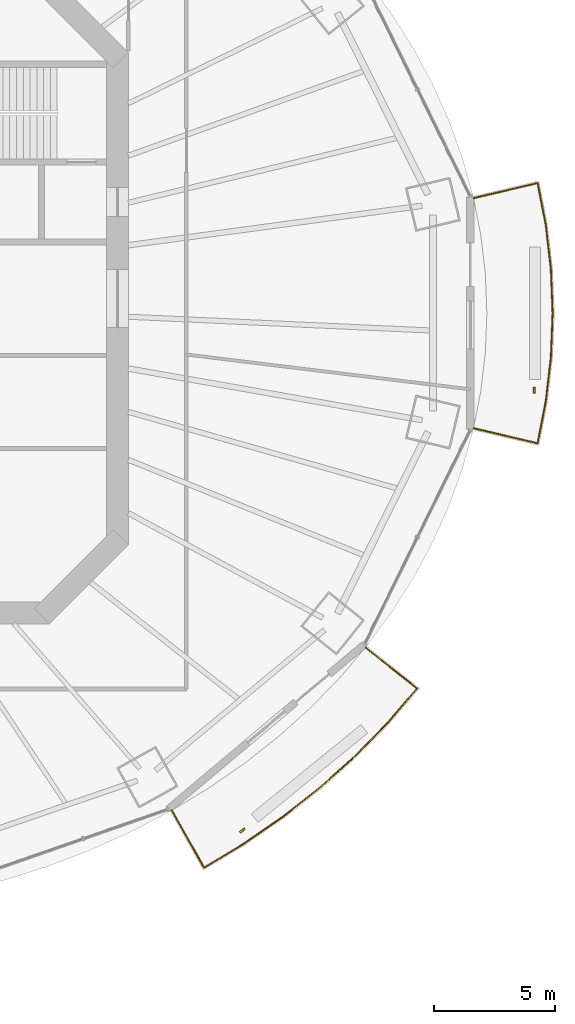
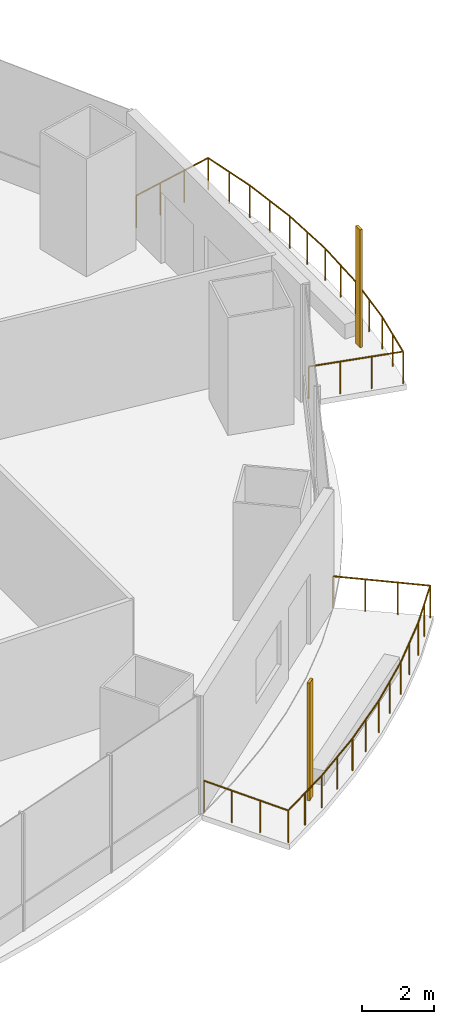
# One storey, part 15 of 18: 2 railings, 2 shading devices.
"""IFC4 building model written with IfcOpenShell, lengths in metres."""

from ifc_helpers import new_model, si_unit, direction, frame, origin, origin_2d, place, context, subcontext, project, spatial, rectangle, circle, extrude, material, material_profile, profile_set, type_object, element, save


model = new_model("IFC4")

# Units and contexts
model_context = context("Model", 3, precision=1e-05, world=origin(), true_north=direction((0.0, 1.0)))
body_context = subcontext(model_context, "Body", "Model", "MODEL_VIEW")
ifc_project = project(units=[si_unit("LENGTHUNIT", "METRE"), si_unit("AREAUNIT", "SQUARE_METRE"), si_unit("VOLUMEUNIT", "CUBIC_METRE"), si_unit("PLANEANGLEUNIT", "RADIAN"), si_unit("MASSUNIT", "GRAM", prefix="KILO")], contexts=[model_context])

# Site, building, storey
site_placement = place(None, origin())
site = spatial("IfcSite", under=ifc_project, at=site_placement, CompositionType="ELEMENT")
building_placement = place(site_placement, origin())
building = spatial("IfcBuilding", under=site, at=building_placement, Name="Marenthal Gate Tower", CompositionType="ELEMENT")
storey_placement = place(building_placement, frame((0.0, 0.0, 264.800048828125)))
storey = spatial("IfcBuildingStorey", under=building, at=storey_placement, Name="L59", CompositionType="ELEMENT", Elevation=264.800048828125)

# Railings
ifc_material_1 = material(Name="Stainless steel", Category="steel")
railing_type = type_object("IfcRailingType", Name="Balcony guard 1100", PredefinedType="GUARDRAIL", material=ifc_material_1)
railing_1_placement = place(storey_placement, frame((26.262939453125, -14.43408203125, 0.0)))
element("IfcRailing", 1, at=railing_1_placement, inside=storey, type_object=railing_type, Name="Balcony guard L59 bay 14", PredefinedType="GUARDRAIL", context=body_context, shape_type="SweptSolid", body=[
    extrude(circle(Radius=0.02392578125, at=origin_2d()), frame((0.0, 0.0, 1.076171875), z_axis=(0.783055581805, -0.621777543925, -0.014718752483), x_axis=(0.621844906334, 0.783140416826, 0.0)), (0.0, 0.0, 1.0), 2.72021484375),
    extrude(circle(Radius=0.02392578125, at=origin_2d()), frame((2.130126953125, -1.69140625, 1.0361328125), z_axis=(-0.649828188236, -0.760081131047, 0.0), x_axis=(0.760081131047, -0.649828188236, 0.0)), (0.0, 0.0, 1.0), 1.837890625),
    extrude(circle(Radius=0.02392578125, at=origin_2d()), frame((0.935791015625, -3.08837890625, 1.0361328125), z_axis=(-0.698341207258, -0.715765016081, 0.0), x_axis=(0.715765016081, -0.698341207258, 0.0)), (0.0, 0.0, 1.0), 1.93359375),
    extrude(circle(Radius=0.02392578125, at=origin_2d()), frame((-0.41455078125, -4.472412109375, 1.0361328125), z_axis=(-0.744090634805, -0.668078683387, 0.0), x_axis=(0.668078683387, -0.744090634805, 0.0)), (0.0, 0.0, 1.0), 1.94970703125),
    extrude(circle(Radius=0.02392578125, at=origin_2d()), frame((-1.865234375, -5.77490234375, 1.0361328125), z_axis=(-0.785632541266, -0.618693389414, 0.0), x_axis=(0.618693389414, -0.785632541266, 0.0)), (0.0, 0.0, 1.0), 1.965576171875),
    extrude(circle(Radius=0.02392578125, at=origin_2d()), frame((-3.409423828125, -6.990966796875, 1.0361328125), z_axis=(-0.823073780852, -0.567934460369, 0.0), x_axis=(0.567934460369, -0.823073780852, 0.0)), (0.0, 0.0, 1.0), 1.981689453125),
    extrude(circle(Radius=0.02392578125, at=origin_2d()), frame((-5.04052734375, -8.116455078125, 1.0361328125), z_axis=(-0.855802788103, -0.517302221023, 0.0), x_axis=(0.517302221023, -0.855802788103, 0.0)), (0.0, 0.0, 1.0), 1.9169921875),
    extrude(circle(Radius=0.02392578125, at=origin_2d()), frame((-6.68115234375, -9.108154296875, 1.0361328125), z_axis=(-0.490110126521, 0.87153624586, 0.01471856084), x_axis=(-0.871630664279, -0.490163222905, 0.0)), (0.0, 0.0, 1.0), 2.72021484375),
    extrude(circle(Radius=0.02099609375, at=origin_2d()), origin(), (0.0, 0.0, 1.0), 1.052001953125),
    extrude(circle(Radius=0.02099609375, at=origin_2d()), frame((0.7099609375, -0.563720703125, -0.013427734375)), (0.0, 0.0, 1.0), 1.052001953125),
    extrude(circle(Radius=0.02099609375, at=origin_2d()), frame((1.420166015625, -1.127685546875, -0.026611328125)), (0.0, 0.0, 1.0), 1.052001953125),
    extrude(circle(Radius=0.02099609375, at=origin_2d()), frame((2.130126953125, -1.69140625, -0.0400390625)), (0.0, 0.0, 1.0), 1.052001953125),
    extrude(circle(Radius=0.02099609375, at=origin_2d()), frame((1.532958984375, -2.389892578125, -0.0400390625)), (0.0, 0.0, 1.0), 1.052001953125),
    extrude(circle(Radius=0.02099609375, at=origin_2d()), frame((0.935791015625, -3.08837890625, -0.0400390625)), (0.0, 0.0, 1.0), 1.052001953125),
    extrude(circle(Radius=0.02099609375, at=origin_2d()), frame((0.2607421875, -3.7802734375, -0.0400390625)), (0.0, 0.0, 1.0), 1.052001953125),
    extrude(circle(Radius=0.02099609375, at=origin_2d()), frame((-0.41455078125, -4.472412109375, -0.0400390625)), (0.0, 0.0, 1.0), 1.052001953125),
    extrude(circle(Radius=0.02099609375, at=origin_2d()), frame((-1.139892578125, -5.12353515625, -0.0400390625)), (0.0, 0.0, 1.0), 1.052001953125),
    extrude(circle(Radius=0.02099609375, at=origin_2d()), frame((-1.865234375, -5.77490234375, -0.0400390625)), (0.0, 0.0, 1.0), 1.052001953125),
    extrude(circle(Radius=0.02099609375, at=origin_2d()), frame((-2.63720703125, -6.3828125, -0.0400390625)), (0.0, 0.0, 1.0), 1.052001953125),
    extrude(circle(Radius=0.02099609375, at=origin_2d()), frame((-3.409423828125, -6.990966796875, -0.0400390625)), (0.0, 0.0, 1.0), 1.052001953125),
    extrude(circle(Radius=0.02099609375, at=origin_2d()), frame((-4.22509765625, -7.5537109375, -0.0400390625)), (0.0, 0.0, 1.0), 1.052001953125),
    extrude(circle(Radius=0.02099609375, at=origin_2d()), frame((-5.04052734375, -8.116455078125, -0.0400390625)), (0.0, 0.0, 1.0), 1.052001953125),
    extrude(circle(Radius=0.02099609375, at=origin_2d()), frame((-5.86083984375, -8.6123046875, -0.0400390625)), (0.0, 0.0, 1.0), 1.052001953125),
    extrude(circle(Radius=0.02099609375, at=origin_2d()), frame((-6.68115234375, -9.108154296875, -0.0400390625)), (0.0, 0.0, 1.0), 1.052001953125),
    extrude(circle(Radius=0.02099609375, at=origin_2d()), frame((-7.12548828125, -8.31787109375, -0.026611328125)), (0.0, 0.0, 1.0), 1.052001953125),
    extrude(circle(Radius=0.02099609375, at=origin_2d()), frame((-7.570068359375, -7.527587890625, -0.013427734375)), (0.0, 0.0, 1.0), 1.052001953125),
    extrude(circle(Radius=0.02099609375, at=origin_2d()), frame((-8.014404296875, -6.7373046875, 0.0)), (0.0, 0.0, 1.0), 1.052001953125),
])
railing_2_placement = place(storey_placement, frame((30.73291015625, 4.157958984375, 0.0)))
element("IfcRailing", 2, at=railing_2_placement, inside=storey, type_object=railing_type, Name="Balcony guard L59 bay 16", PredefinedType="GUARDRAIL", context=body_context, shape_type="SweptSolid", body=[
    extrude(circle(Radius=0.02392578125, at=origin_2d()), frame((0.0, 0.0, 1.076171875), z_axis=(0.973077013542, 0.230009811464, -0.014717756176), x_axis=(-0.230034726995, 0.973182420914, 0.0)), (0.0, 0.0, 1.0), 2.720458984375),
    extrude(circle(Radius=0.02392578125, at=origin_2d()), frame((2.647216796875, 0.625732421875, 1.0361328125), z_axis=(0.190858521414, -0.981617555265, 0.0), x_axis=(0.981617555265, 0.190858521414, 0.0)), (0.0, 0.0, 1.0), 1.76025390625),
    extrude(circle(Radius=0.02392578125, at=origin_2d()), frame((2.983154296875, -1.10205078125, 1.0361328125), z_axis=(0.116355162859, -0.993207670166, 0.0), x_axis=(0.993207670166, 0.116355162859, 0.0)), (0.0, 0.0, 1.0), 1.8359375),
    extrude(circle(Radius=0.02392578125, at=origin_2d()), frame((3.19677734375, -2.925537109375, 1.0361328125), z_axis=(0.038872807979, -0.999244166758, 0.0), x_axis=(0.999244166758, 0.038872807979, 0.0)), (0.0, 0.0, 1.0), 1.833984375),
    extrude(circle(Radius=0.02392578125, at=origin_2d()), frame((3.26806640625, -4.758056640625, 1.0361328125), z_axis=(-0.038877979739, -0.999243965552, 0.0), x_axis=(0.999243965552, -0.038877979739, 0.0)), (0.0, 0.0, 1.0), 1.833740234375),
    extrude(circle(Radius=0.02392578125, at=origin_2d()), frame((3.19677734375, -6.59033203125, 1.0361328125), z_axis=(-0.116355162859, -0.993207670166, 0.0), x_axis=(0.993207670166, -0.116355162859, 0.0)), (0.0, 0.0, 1.0), 1.8359375),
    extrude(circle(Radius=0.02392578125, at=origin_2d()), frame((2.983154296875, -8.413818359375, 1.0361328125), z_axis=(-0.190858521414, -0.981617555265, 0.0), x_axis=(0.981617555265, -0.190858521414, 0.0)), (0.0, 0.0, 1.0), 1.76025390625),
    extrude(circle(Radius=0.02392578125, at=origin_2d()), frame((2.647216796875, -10.1416015625, 1.0361328125), z_axis=(-0.973097096147, 0.229924814196, 0.014718059925), x_axis=(-0.229949721547, -0.973202510046, 0.0)), (0.0, 0.0, 1.0), 2.720458984375),
    extrude(circle(Radius=0.02099609375, at=origin_2d()), origin(), (0.0, 0.0, 1.0), 1.052001953125),
    extrude(circle(Radius=0.02099609375, at=origin_2d()), frame((0.88232421875, 0.20849609375, -0.013427734375)), (0.0, 0.0, 1.0), 1.052001953125),
    extrude(circle(Radius=0.02099609375, at=origin_2d()), frame((1.764892578125, 0.417236328125, -0.026611328125)), (0.0, 0.0, 1.0), 1.052001953125),
    extrude(circle(Radius=0.02099609375, at=origin_2d()), frame((2.647216796875, 0.625732421875, -0.0400390625)), (0.0, 0.0, 1.0), 1.052001953125),
    extrude(circle(Radius=0.02099609375, at=origin_2d()), frame((2.815185546875, -0.23828125, -0.0400390625)), (0.0, 0.0, 1.0), 1.052001953125),
    extrude(circle(Radius=0.02099609375, at=origin_2d()), frame((2.983154296875, -1.10205078125, -0.0400390625)), (0.0, 0.0, 1.0), 1.052001953125),
    extrude(circle(Radius=0.02099609375, at=origin_2d()), frame((3.08984375, -2.013671875, -0.0400390625)), (0.0, 0.0, 1.0), 1.052001953125),
    extrude(circle(Radius=0.02099609375, at=origin_2d()), frame((3.19677734375, -2.925537109375, -0.0400390625)), (0.0, 0.0, 1.0), 1.052001953125),
    extrude(circle(Radius=0.02099609375, at=origin_2d()), frame((3.232421875, -3.841796875, -0.0400390625)), (0.0, 0.0, 1.0), 1.052001953125),
    extrude(circle(Radius=0.02099609375, at=origin_2d()), frame((3.26806640625, -4.758056640625, -0.0400390625)), (0.0, 0.0, 1.0), 1.052001953125),
    extrude(circle(Radius=0.02099609375, at=origin_2d()), frame((3.232421875, -5.67431640625, -0.0400390625)), (0.0, 0.0, 1.0), 1.052001953125),
    extrude(circle(Radius=0.02099609375, at=origin_2d()), frame((3.19677734375, -6.59033203125, -0.0400390625)), (0.0, 0.0, 1.0), 1.052001953125),
    extrude(circle(Radius=0.02099609375, at=origin_2d()), frame((3.08984375, -7.501953125, -0.0400390625)), (0.0, 0.0, 1.0), 1.052001953125),
    extrude(circle(Radius=0.02099609375, at=origin_2d()), frame((2.983154296875, -8.413818359375, -0.0400390625)), (0.0, 0.0, 1.0), 1.052001953125),
    extrude(circle(Radius=0.02099609375, at=origin_2d()), frame((2.815185546875, -9.27783203125, -0.0400390625)), (0.0, 0.0, 1.0), 1.052001953125),
    extrude(circle(Radius=0.02099609375, at=origin_2d()), frame((2.647216796875, -10.1416015625, -0.0400390625)), (0.0, 0.0, 1.0), 1.052001953125),
    extrude(circle(Radius=0.02099609375, at=origin_2d()), frame((1.764892578125, -9.93310546875, -0.026611328125)), (0.0, 0.0, 1.0), 1.052001953125),
    extrude(circle(Radius=0.02099609375, at=origin_2d()), frame((0.88232421875, -9.724609375, -0.013427734375)), (0.0, 0.0, 1.0), 1.052001953125),
    extrude(circle(Radius=0.02099609375, at=origin_2d()), frame((0.0, -9.51611328125, 0.0)), (0.0, 0.0, 1.0), 1.052001953125),
])

# Shading devices
ifc_material_2 = material(Name="Terracotta", Category="masonry")
ifc_material_profile = material_profile(ifc_material_2, rectangle(XDim=0.25, YDim=0.080078125, at=origin_2d()), Name="Terracotta baguette 250x80")
ifc_profile_set = profile_set([ifc_material_profile], Name="Terracotta")
shading_device_type = type_object("IfcShadingDeviceType", Name="Terracotta BAGUETTE SCREEN 250x80", PredefinedType="USERDEFINED", material=ifc_profile_set)
for number, where, z_axis, x_axis, name in (
    (3, (21.16552734375, -22.000732421875, -0.0400390625), (0.0, 0.0, 1.0), (0.765301302142, 0.64367221234, 0.0), "Terracotta BAGUETTE L59 bay 14L"),
    (4, (33.248046875, -3.780517578125, -0.0400390625), (0.0, 0.0, 1.0), (0.0, 1.0, 0.0), "Terracotta BAGUETTE L59 bay 16L"),
):
    element("IfcShadingDevice", number, at=place(storey_placement, frame(where, z_axis=z_axis, x_axis=x_axis)), inside=storey, type_object=shading_device_type, Name=name, ObjectType="BAGUETTE SCREEN", PredefinedType="USERDEFINED", context=body_context, shape_type="SweptSolid", body=[
        extrude(rectangle(XDim=0.25, YDim=0.080078125, at=origin_2d()), origin(), (0.0, 0.0, 1.0), 3.969970703125),
    ])

save(model, "model.ifc")
